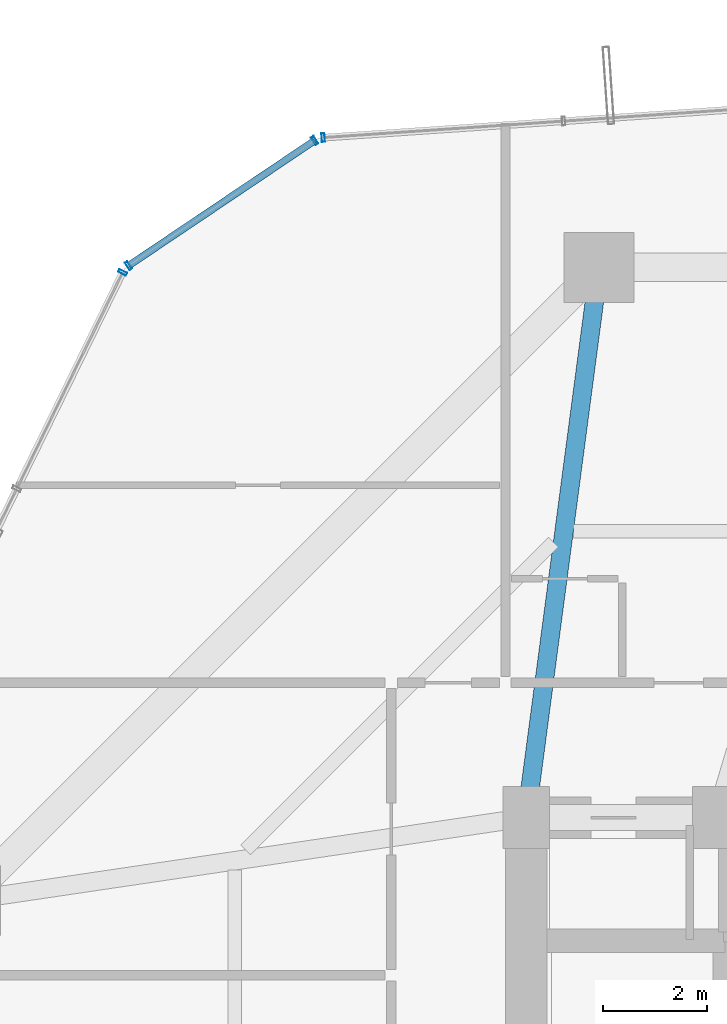
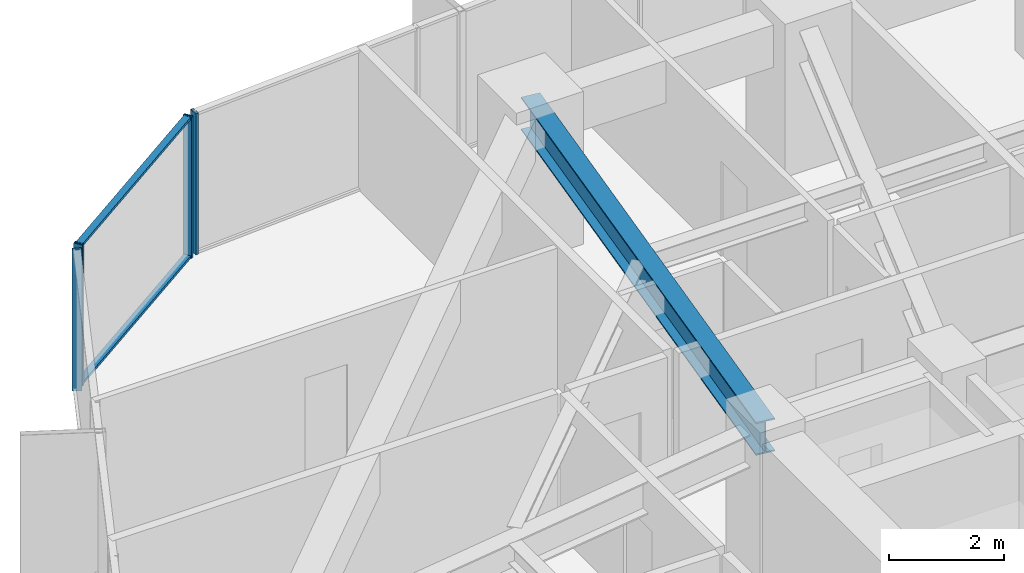
# One storey, part 23 of 37: 6 members, 1 beam, 3 elements without a shape of their own.
"""IFC4 building model written with IfcOpenShell, lengths in metres."""

import ifcopenshell
import ifcopenshell.guid

model = None  # the IFC model being written
_history = None  # IfcOwnerHistory: only IFC2X3 demands one
_inside = {}  # id of a spatial element -> (the spatial element, [elements in it])
_under = {}  # id of a project, library or spatial element -> (it, [spatial elements below it])
_declared = {}  # id of a project -> (the project, [libraries it declares])
_typed = {}  # id of a type object -> (the type object, [elements of that type])
_made_of = {}  # id of a material, layer set ... -> (it, [elements and type objects made of it])


def new_model(schema):
    """Start an empty IFC model of exactly this schema.

    Asked for "IFC4X3", IfcOpenShell would pick the latest addendum, in which some entities
    have other attributes; the version numbers below select the first issue.
    IFC2X3 requires an IfcOwnerHistory on every rooted entity: one is made here for all.
    """
    global model, _history
    if schema == "IFC4X3":
        model = ifcopenshell.file(schema_version=(4, 3, 0, 0))
    else:
        model = ifcopenshell.file(schema=schema)
    _inside.clear()
    _under.clear()
    _declared.clear()
    _typed.clear()
    _made_of.clear()
    _history = None
    if model.schema == "IFC2X3":
        org = make("IfcOrganization", Name="unknown")
        user = make(
            "IfcPersonAndOrganization",
            ThePerson=make("IfcPerson", FamilyName="unknown"),
            TheOrganization=org,
        )
        app = make(
            "IfcApplication",
            ApplicationDeveloper=org,
            Version="unknown",
            ApplicationFullName="unknown",
            ApplicationIdentifier="unknown",
        )
        _history = make(
            "IfcOwnerHistory",
            OwningUser=user,
            OwningApplication=app,
            ChangeAction="ADDED",
            CreationDate=0,
        )
    return model


def make(cls, **values):
    """One entity of the class cls with the attributes given. An attribute that is None is left unset."""
    return model.create_entity(
        cls, **{name: value for name, value in values.items() if value is not None}
    )


def rooted(cls, **values):
    """An entity with a GlobalId (a new one), such as an element, a storey or a relation."""
    return make(cls, GlobalId=ifcopenshell.guid.new(), OwnerHistory=_history, **values)


def si_unit(unit_type, name, prefix=None):
    """IfcSIUnit, for example si_unit("LENGTHUNIT", "METRE", prefix="MILLI")."""
    return make("IfcSIUnit", UnitType=unit_type, Prefix=prefix, Name=name)


def assignment(units):
    """IfcUnitAssignment: the units of a project."""
    return None if units is None else make("IfcUnitAssignment", Units=units)


def point(xyz):
    """IfcCartesianPoint."""
    return None if xyz is None else make("IfcCartesianPoint", Coordinates=xyz)


def direction(xyz):
    """IfcDirection."""
    return None if xyz is None else make("IfcDirection", DirectionRatios=xyz)


def frame(location, z_axis=None, x_axis=None):
    """IfcAxis2Placement3D, a coordinate frame: its origin and axes. An axis left out is left unset."""
    return make(
        "IfcAxis2Placement3D",
        Location=point(location),
        Axis=direction(z_axis),
        RefDirection=direction(x_axis),
    )


def frame_2d(location, x_axis=None):
    """IfcAxis2Placement2D, a coordinate frame in the plane: its origin and x axis."""
    return make(
        "IfcAxis2Placement2D", Location=point(location), RefDirection=direction(x_axis)
    )


def origin():
    """The frame at (0, 0, 0) with its axes left unset."""
    return frame((0.0, 0.0, 0.0))


def origin_2d():
    """The frame at (0, 0) in the plane with its x axis left unset."""
    return frame_2d((0.0, 0.0))


def place(relative_to, where):
    """IfcLocalPlacement: puts the frame where relative to a parent placement (None: the world)."""
    return make(
        "IfcLocalPlacement", PlacementRelTo=relative_to, RelativePlacement=where
    )


def context(
    kind, dimensions, precision=None, world=None, true_north=None, identifier=None
):
    """IfcGeometricRepresentationContext, for example the 3D "Model" context."""
    return make(
        "IfcGeometricRepresentationContext",
        ContextIdentifier=identifier,
        ContextType=kind,
        CoordinateSpaceDimension=dimensions,
        Precision=precision,
        WorldCoordinateSystem=world,
        TrueNorth=true_north,
    )


def subcontext(parent, identifier, kind, view, scale=None):
    """IfcGeometricRepresentationSubContext, for example "Body" below "Model"."""
    return make(
        "IfcGeometricRepresentationSubContext",
        ContextIdentifier=identifier,
        ContextType=kind,
        ParentContext=parent,
        TargetScale=scale,
        TargetView=view,
    )


def project(units=None, contexts=None):
    """IfcProject with its units and contexts."""
    return rooted(
        "IfcProject",
        Name="project",
        RepresentationContexts=contexts,
        UnitsInContext=assignment(units),
    )


def spatial(cls, under=None, at=None, **own):
    """A site, building, storey or space (cls), placed at a placement, below another one or the project."""
    s = rooted(cls, ObjectPlacement=at, **own)
    if under is not None:
        _under.setdefault(under.id(), (under, []))[1].append(s)
    return s


def profile(cls, at=None, kind="AREA", **sizes):
    """A parametric profile (cls). Its sizes go by their IFC names, for example OverallWidth=200.0."""
    return make(cls, ProfileType=kind, Position=at, **sizes)


def hollow_rectangle(**sizes):
    """IfcRectangleHollowProfileDef."""
    return profile("IfcRectangleHollowProfileDef", **sizes)


def i_section(**sizes):
    """IfcIShapeProfileDef."""
    return profile("IfcIShapeProfileDef", **sizes)


def extrude(swept, where, along, depth):
    """IfcExtrudedAreaSolid: the profile swept, set in the frame where, extruded along a direction by depth."""
    return make(
        "IfcExtrudedAreaSolid",
        SweptArea=swept,
        Position=where,
        ExtrudedDirection=direction(along),
        Depth=depth,
    )


def shape(context_of_items, identifier, shape_type, items):
    """IfcShapeRepresentation: the items that make up one representation, for example the "Body"."""
    return make(
        "IfcShapeRepresentation",
        ContextOfItems=context_of_items,
        RepresentationIdentifier=identifier,
        RepresentationType=shape_type,
        Items=items,
    )


def source(mapping_origin, context_of_items, identifier, shape_type, items):
    """IfcRepresentationMap: a shape defined once, which mapped items show again and again."""
    return make(
        "IfcRepresentationMap",
        MappingOrigin=mapping_origin,
        MappedRepresentation=shape(context_of_items, identifier, shape_type, items),
    )


def transform(
    local_origin,
    x_axis=None,
    y_axis=None,
    z_axis=None,
    scale=None,
    scale2=None,
    scale3=None,
    uniform=True,
):
    """IfcCartesianTransformationOperator3D, or its non-uniform kind. x_axis, y_axis, z_axis: its Axis1, 2, 3."""
    if uniform:
        return make(
            "IfcCartesianTransformationOperator3D",
            Axis1=direction(x_axis),
            Axis2=direction(y_axis),
            LocalOrigin=point(local_origin),
            Scale=scale,
            Axis3=direction(z_axis),
        )
    return make(
        "IfcCartesianTransformationOperator3DnonUniform",
        Axis1=direction(x_axis),
        Axis2=direction(y_axis),
        LocalOrigin=point(local_origin),
        Scale=scale,
        Axis3=direction(z_axis),
        Scale2=scale2,
        Scale3=scale3,
    )


def mapped(mapping_source, mapping_target):
    """IfcMappedItem: shows the shape of a source again, moved by a transform."""
    return make(
        "IfcMappedItem", MappingSource=mapping_source, MappingTarget=mapping_target
    )


def material(Name=None, Category=None):
    """IfcMaterial."""
    return make("IfcMaterial", Name=Name, Category=Category)


def layer(
    of_material, thickness, ventilated=None, Name=None, Category=None, Priority=None
):
    """IfcMaterialLayer: one layer of a wall or slab, of a material (None: an air gap)."""
    return make(
        "IfcMaterialLayer",
        Material=of_material,
        LayerThickness=thickness,
        IsVentilated=ventilated,
        Name=Name,
        Category=Category,
        Priority=Priority,
    )


def layer_set(layers, Name=None):
    """IfcMaterialLayerSet."""
    return make("IfcMaterialLayerSet", MaterialLayers=layers, LayerSetName=Name)


def material_profile(
    of_material, cross_section, Name=None, Category=None, Priority=None
):
    """IfcMaterialProfile: a cross section and its material."""
    return make(
        "IfcMaterialProfile",
        Name=Name,
        Material=of_material,
        Profile=cross_section,
        Priority=Priority,
        Category=Category,
    )


def profile_set(profiles, Name=None, composite=None):
    """IfcMaterialProfileSet."""
    return make(
        "IfcMaterialProfileSet",
        Name=Name,
        MaterialProfiles=profiles,
        CompositeProfile=composite,
    )


def made_of(thing, what):
    """Note that an element or type object is made of a material, layer set ...; save() writes the relation."""
    if what is not None:
        _made_of.setdefault(what.id(), (what, []))[1].append(thing)
    return thing


def type_object(cls, material=None, **own):
    """A type object (cls), such as IfcWallType, which elements share."""
    return made_of(rooted(cls, **own), material)


def element(
    cls,
    number,
    at=None,
    inside=None,
    cuts=None,
    type_object=None,
    material=None,
    context=None,
    identifier="Body",
    shape_type=None,
    held_by="IfcProductDefinitionShape",
    body=None,
    shapes=None,
    **own,
):
    """One element of the class cls, such as IfcWall. Its Tag is "e" and its number.

    at: its placement. inside: the storey or other place that contains it. cuts: it is an
    opening in that element (IfcRelVoidsElement). A single representation is given by context,
    identifier, shape_type and body (its items); several are given by shapes. held_by: the class
    of the entity that holds the representations. save() writes the other relations.
    """
    e = rooted(cls, Tag="e%d" % number, ObjectPlacement=at, **own)
    if body is not None:
        shapes = [shape(context, identifier, shape_type, body)]
    if shapes is not None:
        e.Representation = make(held_by, Representations=shapes)
    if inside is not None:
        _inside.setdefault(inside.id(), (inside, []))[1].append(e)
    if cuts is not None:
        rooted(
            "IfcRelVoidsElement", RelatingBuildingElement=cuts, RelatedOpeningElement=e
        )
    if type_object is not None:
        _typed.setdefault(type_object.id(), (type_object, []))[1].append(e)
    return made_of(e, material)


def aggregate(whole, parts):
    """IfcRelAggregates: a whole, such as a stair, and the parts it consists of."""
    return rooted("IfcRelAggregates", RelatingObject=whole, RelatedObjects=parts)


def save(model, path):
    """Write the relations noted so far, then the file.

    IfcRelAggregates (storeys below a building ...), IfcRelContainedInSpatialStructure (elements
    in a storey), IfcRelDefinesByType, IfcRelAssociatesMaterial and IfcRelDeclares: one each for
    every whole, place, type object, material and project.
    """
    for whole, parts in _under.values():
        aggregate(whole, parts)
    for where, things in _inside.values():
        rooted(
            "IfcRelContainedInSpatialStructure",
            RelatedElements=things,
            RelatingStructure=where,
        )
    for kind, things in _typed.values():
        rooted("IfcRelDefinesByType", RelatedObjects=things, RelatingType=kind)
    for what, things in _made_of.values():
        rooted("IfcRelAssociatesMaterial", RelatedObjects=things, RelatingMaterial=what)
    for by, libraries in _declared.values():
        rooted("IfcRelDeclares", RelatingContext=by, RelatedDefinitions=libraries)
    model.write(path)


model = new_model("IFC4")

# Units and contexts
model_context = context("Model", 3, precision=1e-05, world=origin(), true_north=direction((0.0, 1.0)))
body_context = subcontext(model_context, "Body", "Model", "MODEL_VIEW")
ifc_project = project(units=[si_unit("LENGTHUNIT", "METRE"), si_unit("AREAUNIT", "SQUARE_METRE"), si_unit("VOLUMEUNIT", "CUBIC_METRE"), si_unit("PLANEANGLEUNIT", "RADIAN"), si_unit("MASSUNIT", "GRAM", prefix="KILO")], contexts=[model_context])

# Site, building, storey
site_placement = place(None, origin())
site = spatial("IfcSite", under=ifc_project, at=site_placement, CompositionType="ELEMENT")
building_placement = place(site_placement, origin())
building = spatial("IfcBuilding", under=site, at=building_placement, Name="Veraguas Prism Commons", CompositionType="ELEMENT")
storey_placement = place(building_placement, frame((0.0, 0.0, 37.050048828125)))
storey = spatial("IfcBuildingStorey", under=building, at=storey_placement, Name="L09", CompositionType="ELEMENT", Elevation=37.050048828125)

# Beam
ifc_material_1 = material(Name="Steel ASTM A992 Grade 50", Category="steel")
ifc_material_profile_1 = material_profile(ifc_material_1, i_section(OverallWidth=0.35595703125, OverallDepth=0.700927734375, WebThickness=0.016845703125, FlangeThickness=0.02734375, at=origin_2d()), Name="W690X240")
ifc_profile_set_1 = profile_set([ifc_material_profile_1], Name="Steel ASTM A992 Grade 50")
beam_type = type_object("IfcBeamType", Name="Zone 1 Radial Girder W690x240", PredefinedType="BEAM", material=ifc_profile_set_1)
beam_placement = place(storey_placement, frame((18.60009765625, 41.60009765625, 2.6494140625), z_axis=(-0.130950648891, -0.991388888154, 0.0), x_axis=(0.991388888154, -0.130950648891, 0.0)))
element("IfcBeam", 1, at=beam_placement, inside=storey, type_object=beam_type, Name="Radial Floor Girder L09-RD06", PredefinedType="BEAM", context=body_context, shape_type="SweptSolid", body=[
    extrude(i_section(OverallWidth=0.35595703125, OverallDepth=0.700927734375, WebThickness=0.016845703125, FlangeThickness=0.02734375, at=origin_2d()), origin(), (0.0, 0.0, 1.0), 10.692138671875),
])

# Curtain wall, members
ifc_material_2 = material(Name="Anodised aluminium EN AW-6063 T6", Category="aluminium")
ifc_layer = layer(ifc_material_2, 0.169921875, Name="Unitised Flush Curtain Wall Zone 1", Category="aluminium")
ifc_layer_set = layer_set([ifc_layer], Name="Anodised aluminium EN AW-6063 T6")
curtain_wall_type = type_object("IfcCurtainWallType", Name="Unitised Flush Curtain Wall Zone 1", PredefinedType="NOTDEFINED", material=ifc_layer_set)
curtain_wall_1_placement = place(storey_placement, origin())
curtain_wall_1 = element("IfcCurtainWall", 2, at=curtain_wall_1_placement, inside=storey, type_object=curtain_wall_type, Name="Chamfer Curtain Wall L09-C3", PredefinedType="NOTDEFINED")
ifc_material_profile_2 = material_profile(ifc_material_2, hollow_rectangle(XDim=0.054931640625, YDim=0.135009765625, WallThickness=0.0029296875, at=origin_2d()), Name="AL55X135X3")
ifc_profile_set_2 = profile_set([ifc_material_profile_2], Name="Anodised aluminium EN AW-6063 T6")
member_type_1 = type_object("IfcMemberType", Name="Curtain Wall Transom Standard AL 55x135x3", PredefinedType="USERDEFINED", material=ifc_profile_set_2)
shared_shape_1 = source(origin(), body_context, "Body", "SweptSolid", [
    extrude(hollow_rectangle(XDim=0.054931640625, YDim=0.135009765625, WallThickness=0.0029296875, at=origin_2d()), origin(), (0.0, 0.0, 1.0), 4.31982421875),
])
member_1_placement = place(storey_placement, frame((13.12451171875, 44.04296875, 0.02734375), z_axis=(-0.829817752571, -0.558034494918, 0.0), x_axis=(0.0, 0.0, 1.0)))
member_1 = element("IfcMember", 3, at=member_1_placement, type_object=member_type_1, Name="CW-Z1 Transom 1", ObjectType="TRANSOM", PredefinedType="USERDEFINED", context=body_context, shape_type="MappedRepresentation", body=[
    mapped(shared_shape_1, transform((0.0, 0.0, 0.0), scale=1.0)),
])
member_2_placement = place(storey_placement, frame((13.12451171875, 44.04296875, 2.972412109375), z_axis=(-0.829817752571, -0.558034494918, 0.0), x_axis=(0.0, 0.0, 1.0)))
member_2 = element("IfcMember", 4, at=member_2_placement, type_object=member_type_1, Name="CW-Z1 Transom 2", ObjectType="TRANSOM", PredefinedType="USERDEFINED", context=body_context, shape_type="MappedRepresentation", body=[
    mapped(shared_shape_1, transform((0.0, 0.0, 0.0), scale=1.0)),
])

# Curtain wall, member
curtain_wall_2_placement = place(storey_placement, origin())
curtain_wall_2 = element("IfcCurtainWall", 5, at=curtain_wall_2_placement, inside=storey, type_object=curtain_wall_type, Name="Tower Facade Curtain Wall L09-F2", PredefinedType="NOTDEFINED")
ifc_material_profile_3 = material_profile(ifc_material_2, hollow_rectangle(XDim=0.06005859375, YDim=0.169921875, WallThickness=0.00390625, at=origin_2d()), Name="AL60X170X4")
ifc_profile_set_3 = profile_set([ifc_material_profile_3], Name="Anodised aluminium EN AW-6063 T6")
member_type_2 = type_object("IfcMemberType", Name="Curtain Wall Mullion Lower AL 60x170x4", PredefinedType="MULLION", material=ifc_profile_set_3)
shared_shape_2 = source(origin(), body_context, "Body", "SweptSolid", [
    extrude(hollow_rectangle(XDim=0.06005859375, YDim=0.169921875, WallThickness=0.00390625, at=origin_2d()), origin(), (0.0, 0.0, 1.0), 3.0),
])
member_3_placement = place(storey_placement, frame((13.2890625, 44.099365234375, 0.0), z_axis=(0.0, 0.0, 1.0), x_axis=(-0.997660476238, -0.068363544026, 0.0)))
member_3 = element("IfcMember", 6, at=member_3_placement, type_object=member_type_2, Name="CW-Z1 Mullion 5", PredefinedType="MULLION", context=body_context, shape_type="MappedRepresentation", body=[
    mapped(shared_shape_2, transform((0.0, 0.0, 0.0), scale=1.0)),
])
aggregate(curtain_wall_2, [member_3])

curtain_wall_3_placement = place(storey_placement, origin())
curtain_wall_3 = element("IfcCurtainWall", 7, at=curtain_wall_3_placement, inside=storey, type_object=curtain_wall_type, Name="Tower Facade Curtain Wall L09-F3", PredefinedType="NOTDEFINED")
member_4_placement = place(storey_placement, frame((9.42529296875, 41.501220703125, 0.0), z_axis=(0.0, 0.0, 1.0), x_axis=(-0.4396256723, -0.898181088787, 0.0)))
member_4 = element("IfcMember", 8, at=member_4_placement, type_object=member_type_2, Name="CW-Z1 Mullion 1", PredefinedType="MULLION", context=body_context, shape_type="MappedRepresentation", body=[
    mapped(shared_shape_2, transform((0.0, 0.0, 0.0), scale=1.0)),
])
aggregate(curtain_wall_3, [member_4])

# Member
member_5_placement = place(storey_placement, frame((13.12451171875, 44.04296875, 0.0), z_axis=(0.0, 0.0, 1.0), x_axis=(-0.82982728418, -0.558020320805, 0.0)))
member_5 = element("IfcMember", 9, at=member_5_placement, type_object=member_type_2, Name="CW-Z1 Mullion 1", PredefinedType="MULLION", context=body_context, shape_type="MappedRepresentation", body=[
    mapped(shared_shape_2, transform((0.0, 0.0, 0.0), scale=1.0)),
])

member_6_placement = place(storey_placement, frame((9.539794921875, 41.63232421875, 0.0), z_axis=(0.0, 0.0, 1.0), x_axis=(-0.82982728418, -0.558020320805, 0.0)))
member_6 = element("IfcMember", 10, at=member_6_placement, type_object=member_type_2, Name="CW-Z1 Mullion 2", PredefinedType="MULLION", context=body_context, shape_type="MappedRepresentation", body=[
    mapped(shared_shape_2, transform((0.0, 0.0, 0.0), scale=1.0)),
])

aggregate(curtain_wall_1, [member_5, member_6, member_1, member_2])

save(model, "model.ifc")
